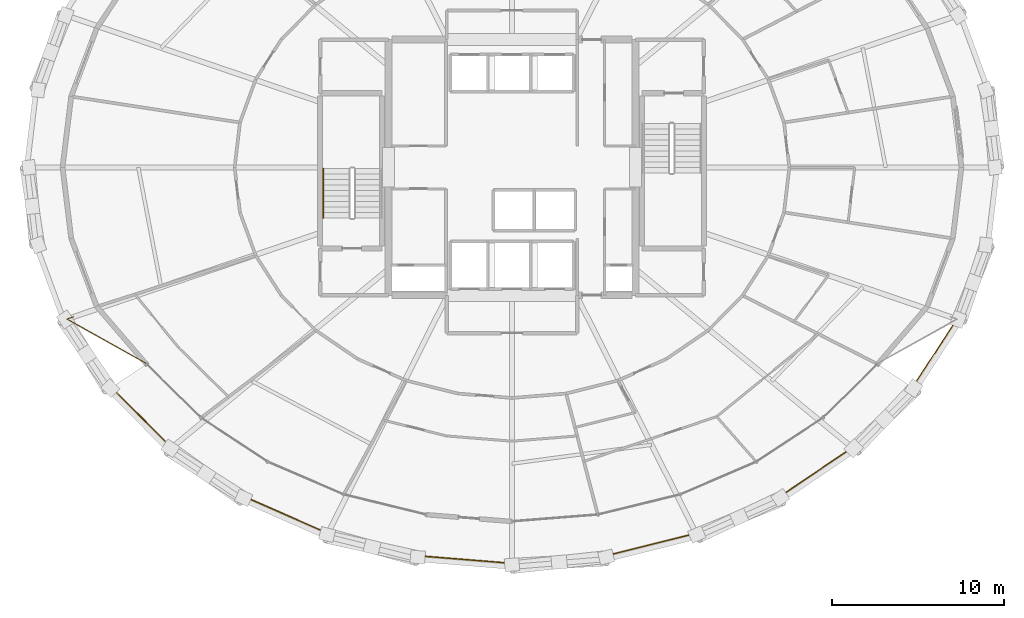
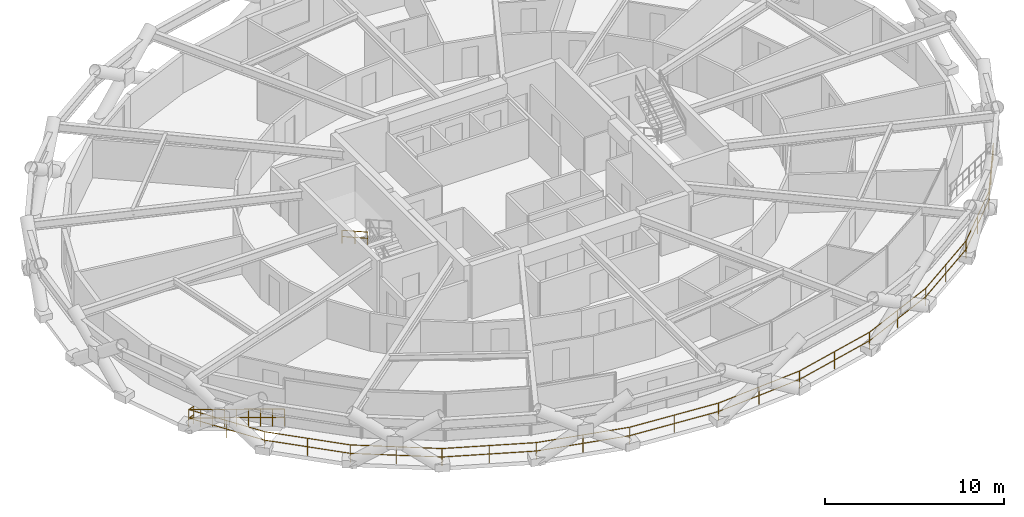
# One storey, part 18 of 19: 3 railings.
"""IFC4 building model written with IfcOpenShell, lengths in metres."""

from ifc_helpers import new_model, si_unit, direction, frame, origin, origin_2d, place, context, subcontext, project, spatial, circle, extrude, material, type_object, element, save


model = new_model("IFC4")

# Units and contexts
model_context = context("Model", 3, precision=1e-05, world=origin(), true_north=direction((0.0, 1.0)))
body_context = subcontext(model_context, "Body", "Model", "MODEL_VIEW")
ifc_project = project(units=[si_unit("LENGTHUNIT", "METRE"), si_unit("AREAUNIT", "SQUARE_METRE"), si_unit("VOLUMEUNIT", "CUBIC_METRE"), si_unit("PLANEANGLEUNIT", "RADIAN"), si_unit("MASSUNIT", "GRAM", prefix="KILO")], contexts=[model_context])

# Site, building, storey
site_placement = place(None, origin())
site = spatial("IfcSite", under=ifc_project, at=site_placement, CompositionType="ELEMENT")
building_placement = place(site_placement, origin())
building = spatial("IfcBuilding", under=site, at=building_placement, Name="Veldorina Hangang Commons", CompositionType="ELEMENT")
storey_placement = place(building_placement, frame((0.0, 0.0, 44.800048828125)))
storey = spatial("IfcBuildingStorey", under=building, at=storey_placement, Name="L10", CompositionType="ELEMENT", Elevation=44.800048828125)

# Railings
ifc_material_1 = material(Name="Glass Laminated Safety Balustrade", Category="glass")
railing_type_1 = type_object("IfcRailingType", Name="RL-BAL-LOGGIA", PredefinedType="BALUSTRADE", material=ifc_material_1)
railing_1_placement = place(storey_placement, frame((6.46533203125, 15.3017578125, 0.0)))
element("IfcRailing", 1, at=railing_1_placement, inside=storey, type_object=railing_type_1, Name="L10 sky-garden loggia end balustrade A", PredefinedType="BALUSTRADE", context=body_context, shape_type="SweptSolid", body=[
    extrude(circle(Radius=0.02392578125, at=origin_2d()), frame((0.0, 0.0, 1.17578125), z_axis=(-0.946687644204, -0.322152920694, 0.0), x_axis=(0.322152920694, -0.946687644204, 0.0)), (0.0, 0.0, 1.0), 0.419921875),
    extrude(circle(Radius=0.02392578125, at=origin_2d()), frame((0.0, 0.0, 0.60009765625), z_axis=(-0.946687644204, -0.322152920694, 0.0), x_axis=(0.322152920694, -0.946687644204, 0.0)), (0.0, 0.0, 1.0), 0.419921875),
    extrude(circle(Radius=0.02392578125, at=origin_2d()), frame((-0.3974609375, -0.13525390625, 1.17578125), z_axis=(0.872336712104, -0.488905574438, 0.0), x_axis=(0.488905574438, 0.872336712104, 0.0)), (0.0, 0.0, 1.0), 5.337646484375),
    extrude(circle(Radius=0.02392578125, at=origin_2d()), frame((-0.3974609375, -0.13525390625, 0.60009765625), z_axis=(0.872336712104, -0.488905574438, 0.0), x_axis=(0.488905574438, 0.872336712104, 0.0)), (0.0, 0.0, 1.0), 5.337646484375),
    extrude(circle(Radius=0.02099609375, at=origin_2d()), origin(), (0.0, 0.0, 1.0), 1.15185546875),
    extrude(circle(Radius=0.02099609375, at=origin_2d()), frame((-0.3974609375, -0.13525390625, 0.0)), (0.0, 0.0, 1.0), 1.15185546875),
    extrude(circle(Radius=0.02099609375, at=origin_2d()), frame((0.1845703125, -0.46142578125, 0.0)), (0.0, 0.0, 1.0), 1.15185546875),
    extrude(circle(Radius=0.02099609375, at=origin_2d()), frame((0.7666015625, -0.78759765625, 0.0)), (0.0, 0.0, 1.0), 1.15185546875),
    extrude(circle(Radius=0.02099609375, at=origin_2d()), frame((1.3486328125, -1.11376953125, 0.0)), (0.0, 0.0, 1.0), 1.15185546875),
    extrude(circle(Radius=0.02099609375, at=origin_2d()), frame((1.9306640625, -1.43994140625, 0.0)), (0.0, 0.0, 1.0), 1.15185546875),
    extrude(circle(Radius=0.02099609375, at=origin_2d()), frame((2.5126953125, -1.766357421875, 0.0)), (0.0, 0.0, 1.0), 1.15185546875),
    extrude(circle(Radius=0.02099609375, at=origin_2d()), frame((3.0947265625, -2.092529296875, 0.0)), (0.0, 0.0, 1.0), 1.15185546875),
    extrude(circle(Radius=0.02099609375, at=origin_2d()), frame((3.6767578125, -2.418701171875, 0.0)), (0.0, 0.0, 1.0), 1.15185546875),
    extrude(circle(Radius=0.02099609375, at=origin_2d()), frame((4.2587890625, -2.744873046875, 0.0)), (0.0, 0.0, 1.0), 1.15185546875),
])
railing_2_placement = place(storey_placement, frame((6.06787109375, 15.16650390625, 0.0)))
element("IfcRailing", 2, at=railing_2_placement, inside=storey, type_object=railing_type_1, Name="L10 sky-garden loggia outer balustrade", PredefinedType="BALUSTRADE", context=body_context, shape_type="SweptSolid", body=[
    extrude(circle(Radius=0.02392578125, at=origin_2d()), frame((0.0, 0.0, 1.17578125), z_axis=(0.545314617889, -0.838231452235, 0.0), x_axis=(0.838231452235, 0.545314617889, 0.0)), (0.0, 0.0, 1.0), 4.760009765625),
    extrude(circle(Radius=0.02392578125, at=origin_2d()), frame((0.0, 0.0, 0.60009765625), z_axis=(0.545314617889, -0.838231452235, 0.0), x_axis=(0.838231452235, 0.545314617889, 0.0)), (0.0, 0.0, 1.0), 4.760009765625),
    extrude(circle(Radius=0.02392578125, at=origin_2d()), frame((2.595703125, -3.989990234375, 1.17578125), z_axis=(0.706785576835, -0.707427839697, 0.0), x_axis=(0.707427839697, 0.706785576835, 0.0)), (0.0, 0.0, 1.0), 4.941650390625),
    extrude(circle(Radius=0.02392578125, at=origin_2d()), frame((2.595703125, -3.989990234375, 0.60009765625), z_axis=(0.706785576835, -0.707427839697, 0.0), x_axis=(0.707427839697, 0.706785576835, 0.0)), (0.0, 0.0, 1.0), 4.941650390625),
    extrude(circle(Radius=0.02392578125, at=origin_2d()), frame((6.08837890625, -7.48583984375, 1.17578125), z_axis=(0.829213689302, -0.558931710923, 0.0), x_axis=(0.558931710923, 0.829213689302, 0.0)), (0.0, 0.0, 1.0), 5.130615234375),
    extrude(circle(Radius=0.02392578125, at=origin_2d()), frame((6.08837890625, -7.48583984375, 0.60009765625), z_axis=(0.829213689302, -0.558931710923, 0.0), x_axis=(0.558931710923, 0.829213689302, 0.0)), (0.0, 0.0, 1.0), 5.130615234375),
    extrude(circle(Radius=0.02392578125, at=origin_2d()), frame((10.3427734375, -10.353515625, 1.17578125), z_axis=(0.915661813428, -0.401949553339, 0.0), x_axis=(0.401949553339, 0.915661813428, 0.0)), (0.0, 0.0, 1.0), 5.299560546875),
    extrude(circle(Radius=0.02392578125, at=origin_2d()), frame((10.3427734375, -10.353515625, 0.60009765625), z_axis=(0.915661813428, -0.401949553339, 0.0), x_axis=(0.401949553339, 0.915661813428, 0.0)), (0.0, 0.0, 1.0), 5.299560546875),
    extrude(circle(Radius=0.02392578125, at=origin_2d()), frame((15.1953125, -12.483642578125, 1.17578125), z_axis=(0.970353928536, -0.241688339343, 0.0), x_axis=(0.241688339343, 0.970353928536, 0.0)), (0.0, 0.0, 1.0), 5.424560546875),
    extrude(circle(Radius=0.02392578125, at=origin_2d()), frame((15.1953125, -12.483642578125, 0.60009765625), z_axis=(0.970353928536, -0.241688339343, 0.0), x_axis=(0.241688339343, 0.970353928536, 0.0)), (0.0, 0.0, 1.0), 5.424560546875),
    extrude(circle(Radius=0.02392578125, at=origin_2d()), frame((20.458984375, -13.794677734375, 1.17578125), z_axis=(0.996745772509, -0.080609335603, 0.0), x_axis=(0.080609335603, 0.996745772509, 0.0)), (0.0, 0.0, 1.0), 5.490966796875),
    extrude(circle(Radius=0.02392578125, at=origin_2d()), frame((20.458984375, -13.794677734375, 0.60009765625), z_axis=(0.996745772509, -0.080609335603, 0.0), x_axis=(0.080609335603, 0.996745772509, 0.0)), (0.0, 0.0, 1.0), 5.490966796875),
    extrude(circle(Radius=0.02392578125, at=origin_2d()), frame((25.93212890625, -14.2373046875, 1.17578125), z_axis=(0.996745772509, 0.080609335603, 0.0), x_axis=(-0.080609335603, 0.996745772509, 0.0)), (0.0, 0.0, 1.0), 5.490966796875),
    extrude(circle(Radius=0.02392578125, at=origin_2d()), frame((25.93212890625, -14.2373046875, 0.60009765625), z_axis=(0.996745772509, 0.080609335603, 0.0), x_axis=(-0.080609335603, 0.996745772509, 0.0)), (0.0, 0.0, 1.0), 5.490966796875),
    extrude(circle(Radius=0.02392578125, at=origin_2d()), frame((31.4052734375, -13.794677734375, 1.17578125), z_axis=(0.970353928536, 0.241688339343, 0.0), x_axis=(-0.241688339343, 0.970353928536, 0.0)), (0.0, 0.0, 1.0), 5.424560546875),
    extrude(circle(Radius=0.02392578125, at=origin_2d()), frame((31.4052734375, -13.794677734375, 0.60009765625), z_axis=(0.970353928536, 0.241688339343, 0.0), x_axis=(-0.241688339343, 0.970353928536, 0.0)), (0.0, 0.0, 1.0), 5.424560546875),
    extrude(circle(Radius=0.02392578125, at=origin_2d()), frame((36.6689453125, -12.483642578125, 1.17578125), z_axis=(0.915661813428, 0.401949553339, 0.0), x_axis=(-0.401949553339, 0.915661813428, 0.0)), (0.0, 0.0, 1.0), 5.299560546875),
    extrude(circle(Radius=0.02392578125, at=origin_2d()), frame((36.6689453125, -12.483642578125, 0.60009765625), z_axis=(0.915661813428, 0.401949553339, 0.0), x_axis=(-0.401949553339, 0.915661813428, 0.0)), (0.0, 0.0, 1.0), 5.299560546875),
    extrude(circle(Radius=0.02392578125, at=origin_2d()), frame((41.521484375, -10.353515625, 1.17578125), z_axis=(0.829213689302, 0.558931710923, 0.0), x_axis=(-0.558931710923, 0.829213689302, 0.0)), (0.0, 0.0, 1.0), 5.130615234375),
    extrude(circle(Radius=0.02392578125, at=origin_2d()), frame((41.521484375, -10.353515625, 0.60009765625), z_axis=(0.829213689302, 0.558931710923, 0.0), x_axis=(-0.558931710923, 0.829213689302, 0.0)), (0.0, 0.0, 1.0), 5.130615234375),
    extrude(circle(Radius=0.02392578125, at=origin_2d()), frame((45.77587890625, -7.48583984375, 1.17578125), z_axis=(0.706785576835, 0.707427839697, 0.0), x_axis=(-0.707427839697, 0.706785576835, 0.0)), (0.0, 0.0, 1.0), 4.941650390625),
    extrude(circle(Radius=0.02392578125, at=origin_2d()), frame((45.77587890625, -7.48583984375, 0.60009765625), z_axis=(0.706785576835, 0.707427839697, 0.0), x_axis=(-0.707427839697, 0.706785576835, 0.0)), (0.0, 0.0, 1.0), 4.941650390625),
    extrude(circle(Radius=0.02392578125, at=origin_2d()), frame((49.2685546875, -3.989990234375, 1.17578125), z_axis=(0.545314617889, 0.838231452235, 0.0), x_axis=(-0.838231452235, 0.545314617889, 0.0)), (0.0, 0.0, 1.0), 4.760009765625),
    extrude(circle(Radius=0.02392578125, at=origin_2d()), frame((49.2685546875, -3.989990234375, 0.60009765625), z_axis=(0.545314617889, 0.838231452235, 0.0), x_axis=(-0.838231452235, 0.545314617889, 0.0)), (0.0, 0.0, 1.0), 4.760009765625),
    extrude(circle(Radius=0.02099609375, at=origin_2d()), origin(), (0.0, 0.0, 1.0), 1.15185546875),
    extrude(circle(Radius=0.02099609375, at=origin_2d()), frame((1.2978515625, -1.9951171875, 0.0)), (0.0, 0.0, 1.0), 1.15185546875),
    extrude(circle(Radius=0.02099609375, at=origin_2d()), frame((2.595703125, -3.989990234375, 0.0)), (0.0, 0.0, 1.0), 1.15185546875),
    extrude(circle(Radius=0.02099609375, at=origin_2d()), frame((4.342041015625, -5.73779296875, 0.0)), (0.0, 0.0, 1.0), 1.15185546875),
    extrude(circle(Radius=0.02099609375, at=origin_2d()), frame((6.08837890625, -7.48583984375, 0.0)), (0.0, 0.0, 1.0), 1.15185546875),
    extrude(circle(Radius=0.02099609375, at=origin_2d()), frame((8.215576171875, -8.919677734375, 0.0)), (0.0, 0.0, 1.0), 1.15185546875),
    extrude(circle(Radius=0.02099609375, at=origin_2d()), frame((10.3427734375, -10.353515625, 0.0)), (0.0, 0.0, 1.0), 1.15185546875),
    extrude(circle(Radius=0.02099609375, at=origin_2d()), frame((12.76904296875, -11.41845703125, 0.0)), (0.0, 0.0, 1.0), 1.15185546875),
    extrude(circle(Radius=0.02099609375, at=origin_2d()), frame((15.1953125, -12.483642578125, 0.0)), (0.0, 0.0, 1.0), 1.15185546875),
    extrude(circle(Radius=0.02099609375, at=origin_2d()), frame((17.8271484375, -13.13916015625, 0.0)), (0.0, 0.0, 1.0), 1.15185546875),
    extrude(circle(Radius=0.02099609375, at=origin_2d()), frame((20.458984375, -13.794677734375, 0.0)), (0.0, 0.0, 1.0), 1.15185546875),
    extrude(circle(Radius=0.02099609375, at=origin_2d()), frame((23.195556640625, -14.01611328125, 0.0)), (0.0, 0.0, 1.0), 1.15185546875),
    extrude(circle(Radius=0.02099609375, at=origin_2d()), frame((25.93212890625, -14.2373046875, 0.0)), (0.0, 0.0, 1.0), 1.15185546875),
    extrude(circle(Radius=0.02099609375, at=origin_2d()), frame((28.668701171875, -14.01611328125, 0.0)), (0.0, 0.0, 1.0), 1.15185546875),
    extrude(circle(Radius=0.02099609375, at=origin_2d()), frame((31.4052734375, -13.794677734375, 0.0)), (0.0, 0.0, 1.0), 1.15185546875),
    extrude(circle(Radius=0.02099609375, at=origin_2d()), frame((34.037109375, -13.13916015625, 0.0)), (0.0, 0.0, 1.0), 1.15185546875),
    extrude(circle(Radius=0.02099609375, at=origin_2d()), frame((36.6689453125, -12.483642578125, 0.0)), (0.0, 0.0, 1.0), 1.15185546875),
    extrude(circle(Radius=0.02099609375, at=origin_2d()), frame((39.09521484375, -11.41845703125, 0.0)), (0.0, 0.0, 1.0), 1.15185546875),
    extrude(circle(Radius=0.02099609375, at=origin_2d()), frame((41.521484375, -10.353515625, 0.0)), (0.0, 0.0, 1.0), 1.15185546875),
    extrude(circle(Radius=0.02099609375, at=origin_2d()), frame((43.648681640625, -8.919677734375, 0.0)), (0.0, 0.0, 1.0), 1.15185546875),
    extrude(circle(Radius=0.02099609375, at=origin_2d()), frame((45.77587890625, -7.48583984375, 0.0)), (0.0, 0.0, 1.0), 1.15185546875),
    extrude(circle(Radius=0.02099609375, at=origin_2d()), frame((47.522216796875, -5.73779296875, 0.0)), (0.0, 0.0, 1.0), 1.15185546875),
    extrude(circle(Radius=0.02099609375, at=origin_2d()), frame((49.2685546875, -3.989990234375, 0.0)), (0.0, 0.0, 1.0), 1.15185546875),
    extrude(circle(Radius=0.02099609375, at=origin_2d()), frame((50.56640625, -1.9951171875, 0.0)), (0.0, 0.0, 1.0), 1.15185546875),
    extrude(circle(Radius=0.02099609375, at=origin_2d()), frame((51.8642578125, 0.0, 0.0)), (0.0, 0.0, 1.0), 1.15185546875),
])
ifc_material_2 = material(Name="Stainless Steel Brushed 316", Category="steel")
railing_type_2 = type_object("IfcRailingType", Name="RL-HND-STAIR", PredefinedType="HANDRAIL", material=ifc_material_2)
railing_3_placement = place(storey_placement, frame((21.0, 23.929931640625, 1.97998046875)))
element("IfcRailing", 3, at=railing_3_placement, inside=storey, type_object=railing_type_2, Name="L10 ST-1 stair handrail 2", PredefinedType="HANDRAIL", context=body_context, shape_type="SweptSolid", body=[
    extrude(circle(Radius=0.02392578125, at=origin_2d()), frame((0.0, 0.0, 0.8759765625), z_axis=(0.0, -0.871583430097, 0.490247207417), x_axis=(1.0, 0.0, 0.0)), (0.0, 0.0, 1.0), 3.30419921875),
    extrude(circle(Radius=0.02392578125, at=origin_2d()), frame((0.0, 0.0, 0.449951171875), z_axis=(0.0, -0.871583430097, 0.490247207417), x_axis=(1.0, 0.0, 0.0)), (0.0, 0.0, 1.0), 3.30419921875),
    extrude(circle(Radius=0.02099609375, at=origin_2d()), origin(), (0.0, 0.0, 1.0), 0.851806640625),
    extrude(circle(Radius=0.02099609375, at=origin_2d()), frame((0.0, -1.43994140625, 0.81005859375)), (0.0, 0.0, 1.0), 0.851806640625),
    extrude(circle(Radius=0.02099609375, at=origin_2d()), frame((0.0, -2.8798828125, 1.619873046875)), (0.0, 0.0, 1.0), 0.851806640625),
])

save(model, "model.ifc")
